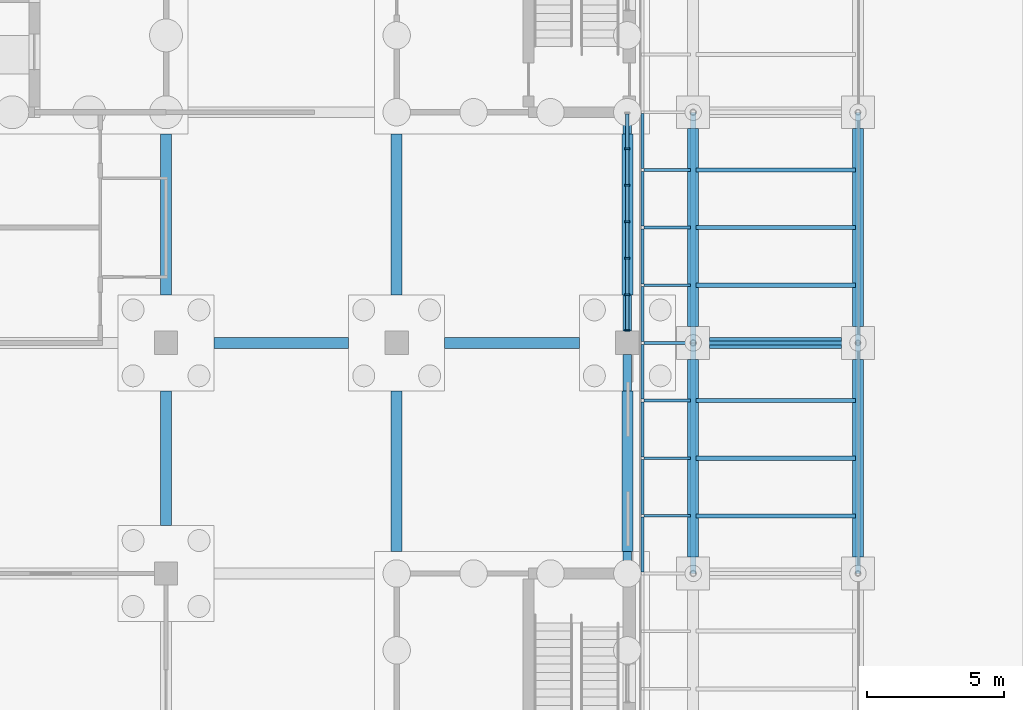
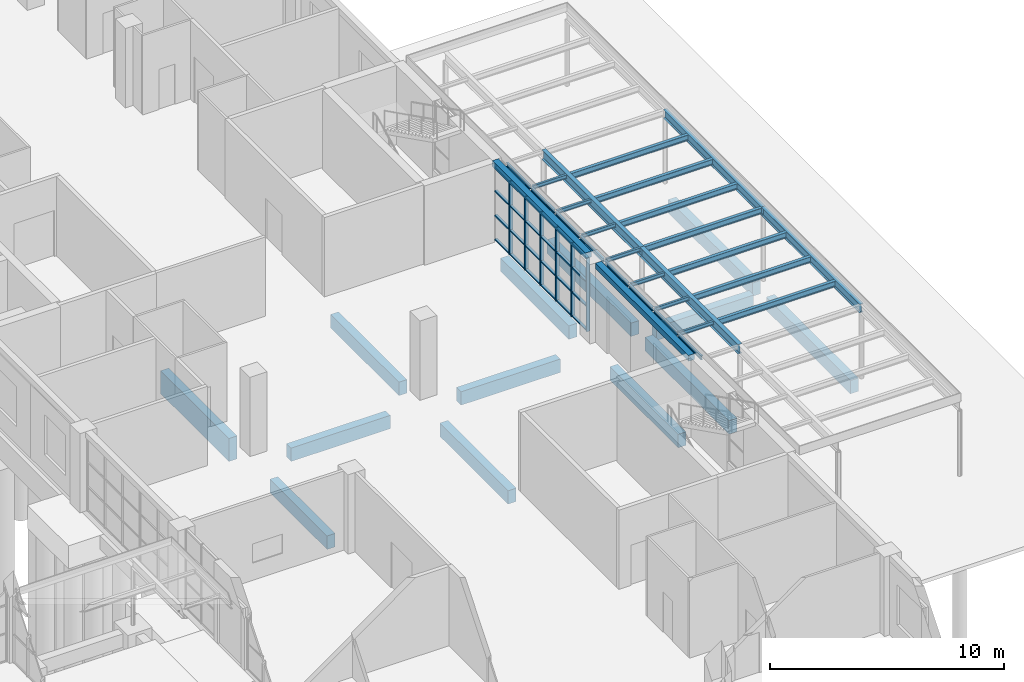
# One storey, part 70 of 138: 41 beams, 30 members, 1 element without a shape of its own.
"""IFC4 building model written with IfcOpenShell, lengths in metres."""

from ifc_helpers import new_model, si_unit, direction, frame, origin, origin_2d, place, context, subcontext, project, spatial, rectangle, i_section, extrude, material, material_profile, profile_set, type_object, element, aggregate, save


model = new_model("IFC4")

# Units and contexts
model_context = context("Model", 3, precision=1e-05, world=origin(), true_north=direction((0.0, 1.0)))
body_context = subcontext(model_context, "Body", "Model", "MODEL_VIEW")
ifc_project = project(units=[si_unit("LENGTHUNIT", "METRE"), si_unit("AREAUNIT", "SQUARE_METRE"), si_unit("VOLUMEUNIT", "CUBIC_METRE"), si_unit("PLANEANGLEUNIT", "RADIAN"), si_unit("MASSUNIT", "GRAM", prefix="KILO")], contexts=[model_context])

# Site, building, storey
site_placement = place(None, origin())
site = spatial("IfcSite", under=ifc_project, at=site_placement, CompositionType="ELEMENT")
building_placement = place(site_placement, origin())
building = spatial("IfcBuilding", under=site, at=building_placement, Name="Yavir Park General Hospital", CompositionType="ELEMENT")
storey_placement = place(building_placement, origin())
storey = spatial("IfcBuildingStorey", under=building, at=storey_placement, Name="L00", CompositionType="ELEMENT", Elevation=0.0)

# Curtain wall, members
ifc_material_1 = material(Name="Aluminium curtain wall frame with insulated glazing", Category="aluminium")
curtain_wall_type = type_object("IfcCurtainWallType", Name="Ambulance entrance glazing, 3840 high, 1400 module", PredefinedType="NOTDEFINED", material=ifc_material_1)
curtain_wall_placement = place(storey_placement, origin())
curtain_wall = element("IfcCurtainWall", 1, at=curtain_wall_placement, inside=storey, type_object=curtain_wall_type, Name="CW13 L00-075", PredefinedType="NOTDEFINED")
ifc_material_2 = material(Name="Aluminium", Category="aluminium")
ifc_material_profile_1 = material_profile(ifc_material_2, rectangle(XDim=0.179931640625, YDim=0.06005859375, at=origin_2d()), Name="AL 60x180")
ifc_profile_set_1 = profile_set([ifc_material_profile_1], Name="Aluminium")
member_type_1 = type_object("IfcMemberType", Name="Ambulance entrance glazing, 3840 high mullion 60 x 180", PredefinedType="MULLION", material=ifc_profile_set_1)
member_1_placement = place(storey_placement, frame((168.0, 67.655029296875, 0.0), z_axis=(0.0, 0.0, 1.0), x_axis=(-1.0, 0.0, 0.0)))
member_1 = element("IfcMember", 2, at=member_1_placement, type_object=member_type_1, Name="CW13 mullion 1", PredefinedType="MULLION", context=body_context, shape_type="SweptSolid", body=[
    extrude(rectangle(XDim=0.179931640625, YDim=0.06005859375, at=origin_2d()), origin(), (0.0, 0.0, 1.0), 3.840087890625),
])
member_2_placement = place(storey_placement, frame((168.0, 68.9541015625, 0.0), z_axis=(0.0, 0.0, 1.0), x_axis=(-1.0, 0.0, 0.0)))
member_2 = element("IfcMember", 3, at=member_2_placement, type_object=member_type_1, Name="CW13 mullion 2", PredefinedType="MULLION", context=body_context, shape_type="SweptSolid", body=[
    extrude(rectangle(XDim=0.179931640625, YDim=0.06005859375, at=origin_2d()), origin(), (0.0, 0.0, 1.0), 3.840087890625),
])
member_3_placement = place(storey_placement, frame((168.0, 70.283447265625, 0.0), z_axis=(0.0, 0.0, 1.0), x_axis=(-1.0, 0.0, 0.0)))
member_3 = element("IfcMember", 4, at=member_3_placement, type_object=member_type_1, Name="CW13 mullion 3", PredefinedType="MULLION", context=body_context, shape_type="SweptSolid", body=[
    extrude(rectangle(XDim=0.179931640625, YDim=0.06005859375, at=origin_2d()), origin(), (0.0, 0.0, 1.0), 3.840087890625),
])
member_4_placement = place(storey_placement, frame((168.0, 71.612548828125, 0.0), z_axis=(0.0, 0.0, 1.0), x_axis=(-1.0, 0.0, 0.0)))
member_4 = element("IfcMember", 5, at=member_4_placement, type_object=member_type_1, Name="CW13 mullion 4", PredefinedType="MULLION", context=body_context, shape_type="SweptSolid", body=[
    extrude(rectangle(XDim=0.179931640625, YDim=0.06005859375, at=origin_2d()), origin(), (0.0, 0.0, 1.0), 3.840087890625),
])
member_5_placement = place(storey_placement, frame((168.0, 72.941650390625, 0.0), z_axis=(0.0, 0.0, 1.0), x_axis=(-1.0, 0.0, 0.0)))
member_5 = element("IfcMember", 6, at=member_5_placement, type_object=member_type_1, Name="CW13 mullion 5", PredefinedType="MULLION", context=body_context, shape_type="SweptSolid", body=[
    extrude(rectangle(XDim=0.179931640625, YDim=0.06005859375, at=origin_2d()), origin(), (0.0, 0.0, 1.0), 3.840087890625),
])
member_6_placement = place(storey_placement, frame((168.0, 74.270751953125, 0.0), z_axis=(0.0, 0.0, 1.0), x_axis=(-1.0, 0.0, 0.0)))
member_6 = element("IfcMember", 7, at=member_6_placement, type_object=member_type_1, Name="CW13 mullion 6", PredefinedType="MULLION", context=body_context, shape_type="SweptSolid", body=[
    extrude(rectangle(XDim=0.179931640625, YDim=0.06005859375, at=origin_2d()), origin(), (0.0, 0.0, 1.0), 3.840087890625),
])
ifc_material_3 = material(Name="Aluminium", Category="aluminium")
ifc_material_profile_2 = material_profile(ifc_material_3, rectangle(XDim=0.139892578125, YDim=0.06005859375, at=origin_2d()), Name="AL 140x60")
ifc_profile_set_2 = profile_set([ifc_material_profile_2], Name="Aluminium")
member_type_2 = type_object("IfcMemberType", Name="Ambulance entrance glazing, 3840 high transom 60 x 140", PredefinedType="MULLION", material=ifc_profile_set_2)
member_7_placement = place(storey_placement, frame((168.0, 67.68505859375, 0.030029296875), z_axis=(0.0, 1.0, 0.0), x_axis=(-1.0, 0.0, 0.0)))
member_7 = element("IfcMember", 8, at=member_7_placement, type_object=member_type_2, Name="CW13 transom 1.1", PredefinedType="MULLION", context=body_context, shape_type="SweptSolid", body=[
    extrude(rectangle(XDim=0.139892578125, YDim=0.06005859375, at=origin_2d()), origin(), (0.0, 0.0, 1.0), 1.239013671875),
])
member_8_placement = place(storey_placement, frame((168.0, 67.68505859375, 1.280029296875), z_axis=(0.0, 1.0, 0.0), x_axis=(-1.0, 0.0, 0.0)))
member_8 = element("IfcMember", 9, at=member_8_placement, type_object=member_type_2, Name="CW13 transom 1.2", PredefinedType="MULLION", context=body_context, shape_type="SweptSolid", body=[
    extrude(rectangle(XDim=0.139892578125, YDim=0.06005859375, at=origin_2d()), origin(), (0.0, 0.0, 1.0), 1.239013671875),
])
member_9_placement = place(storey_placement, frame((168.0, 67.68505859375, 2.56005859375), z_axis=(0.0, 1.0, 0.0), x_axis=(-1.0, 0.0, 0.0)))
member_9 = element("IfcMember", 10, at=member_9_placement, type_object=member_type_2, Name="CW13 transom 1.3", PredefinedType="MULLION", context=body_context, shape_type="SweptSolid", body=[
    extrude(rectangle(XDim=0.139892578125, YDim=0.06005859375, at=origin_2d()), origin(), (0.0, 0.0, 1.0), 1.239013671875),
])
member_10_placement = place(storey_placement, frame((168.0, 67.68505859375, 3.81005859375), z_axis=(0.0, 1.0, 0.0), x_axis=(-1.0, 0.0, 0.0)))
member_10 = element("IfcMember", 11, at=member_10_placement, type_object=member_type_2, Name="CW13 transom 1.4", PredefinedType="MULLION", context=body_context, shape_type="SweptSolid", body=[
    extrude(rectangle(XDim=0.139892578125, YDim=0.06005859375, at=origin_2d()), origin(), (0.0, 0.0, 1.0), 1.239013671875),
])
member_11_placement = place(storey_placement, frame((168.0, 68.984130859375, 0.030029296875), z_axis=(0.0, 1.0, 0.0), x_axis=(-1.0, 0.0, 0.0)))
member_11 = element("IfcMember", 12, at=member_11_placement, type_object=member_type_2, Name="CW13 transom 2.1", PredefinedType="MULLION", context=body_context, shape_type="SweptSolid", body=[
    extrude(rectangle(XDim=0.139892578125, YDim=0.06005859375, at=origin_2d()), origin(), (0.0, 0.0, 1.0), 1.269287109375),
])
member_12_placement = place(storey_placement, frame((168.0, 68.984130859375, 1.280029296875), z_axis=(0.0, 1.0, 0.0), x_axis=(-1.0, 0.0, 0.0)))
member_12 = element("IfcMember", 13, at=member_12_placement, type_object=member_type_2, Name="CW13 transom 2.2", PredefinedType="MULLION", context=body_context, shape_type="SweptSolid", body=[
    extrude(rectangle(XDim=0.139892578125, YDim=0.06005859375, at=origin_2d()), origin(), (0.0, 0.0, 1.0), 1.269287109375),
])
member_13_placement = place(storey_placement, frame((168.0, 68.984130859375, 2.56005859375), z_axis=(0.0, 1.0, 0.0), x_axis=(-1.0, 0.0, 0.0)))
member_13 = element("IfcMember", 14, at=member_13_placement, type_object=member_type_2, Name="CW13 transom 2.3", PredefinedType="MULLION", context=body_context, shape_type="SweptSolid", body=[
    extrude(rectangle(XDim=0.139892578125, YDim=0.06005859375, at=origin_2d()), origin(), (0.0, 0.0, 1.0), 1.269287109375),
])
member_14_placement = place(storey_placement, frame((168.0, 68.984130859375, 3.81005859375), z_axis=(0.0, 1.0, 0.0), x_axis=(-1.0, 0.0, 0.0)))
member_14 = element("IfcMember", 15, at=member_14_placement, type_object=member_type_2, Name="CW13 transom 2.4", PredefinedType="MULLION", context=body_context, shape_type="SweptSolid", body=[
    extrude(rectangle(XDim=0.139892578125, YDim=0.06005859375, at=origin_2d()), origin(), (0.0, 0.0, 1.0), 1.269287109375),
])
member_15_placement = place(storey_placement, frame((168.0, 70.313232421875, 0.030029296875), z_axis=(0.0, 1.0, 0.0), x_axis=(-1.0, 0.0, 0.0)))
member_15 = element("IfcMember", 16, at=member_15_placement, type_object=member_type_2, Name="CW13 transom 3.1", PredefinedType="MULLION", context=body_context, shape_type="SweptSolid", body=[
    extrude(rectangle(XDim=0.139892578125, YDim=0.06005859375, at=origin_2d()), origin(), (0.0, 0.0, 1.0), 1.269287109375),
])
member_16_placement = place(storey_placement, frame((168.0, 70.313232421875, 1.280029296875), z_axis=(0.0, 1.0, 0.0), x_axis=(-1.0, 0.0, 0.0)))
member_16 = element("IfcMember", 17, at=member_16_placement, type_object=member_type_2, Name="CW13 transom 3.2", PredefinedType="MULLION", context=body_context, shape_type="SweptSolid", body=[
    extrude(rectangle(XDim=0.139892578125, YDim=0.06005859375, at=origin_2d()), origin(), (0.0, 0.0, 1.0), 1.269287109375),
])
member_17_placement = place(storey_placement, frame((168.0, 70.313232421875, 2.56005859375), z_axis=(0.0, 1.0, 0.0), x_axis=(-1.0, 0.0, 0.0)))
member_17 = element("IfcMember", 18, at=member_17_placement, type_object=member_type_2, Name="CW13 transom 3.3", PredefinedType="MULLION", context=body_context, shape_type="SweptSolid", body=[
    extrude(rectangle(XDim=0.139892578125, YDim=0.06005859375, at=origin_2d()), origin(), (0.0, 0.0, 1.0), 1.269287109375),
])
member_18_placement = place(storey_placement, frame((168.0, 70.313232421875, 3.81005859375), z_axis=(0.0, 1.0, 0.0), x_axis=(-1.0, 0.0, 0.0)))
member_18 = element("IfcMember", 19, at=member_18_placement, type_object=member_type_2, Name="CW13 transom 3.4", PredefinedType="MULLION", context=body_context, shape_type="SweptSolid", body=[
    extrude(rectangle(XDim=0.139892578125, YDim=0.06005859375, at=origin_2d()), origin(), (0.0, 0.0, 1.0), 1.269287109375),
])
member_19_placement = place(storey_placement, frame((168.0, 71.642578125, 0.030029296875), z_axis=(0.0, 1.0, 0.0), x_axis=(-1.0, 0.0, 0.0)))
member_19 = element("IfcMember", 20, at=member_19_placement, type_object=member_type_2, Name="CW13 transom 4.1", PredefinedType="MULLION", context=body_context, shape_type="SweptSolid", body=[
    extrude(rectangle(XDim=0.139892578125, YDim=0.06005859375, at=origin_2d()), origin(), (0.0, 0.0, 1.0), 1.26904296875),
])
member_20_placement = place(storey_placement, frame((168.0, 71.642578125, 1.280029296875), z_axis=(0.0, 1.0, 0.0), x_axis=(-1.0, 0.0, 0.0)))
member_20 = element("IfcMember", 21, at=member_20_placement, type_object=member_type_2, Name="CW13 transom 4.2", PredefinedType="MULLION", context=body_context, shape_type="SweptSolid", body=[
    extrude(rectangle(XDim=0.139892578125, YDim=0.06005859375, at=origin_2d()), origin(), (0.0, 0.0, 1.0), 1.26904296875),
])
member_21_placement = place(storey_placement, frame((168.0, 71.642578125, 2.56005859375), z_axis=(0.0, 1.0, 0.0), x_axis=(-1.0, 0.0, 0.0)))
member_21 = element("IfcMember", 22, at=member_21_placement, type_object=member_type_2, Name="CW13 transom 4.3", PredefinedType="MULLION", context=body_context, shape_type="SweptSolid", body=[
    extrude(rectangle(XDim=0.139892578125, YDim=0.06005859375, at=origin_2d()), origin(), (0.0, 0.0, 1.0), 1.26904296875),
])
member_22_placement = place(storey_placement, frame((168.0, 71.642578125, 3.81005859375), z_axis=(0.0, 1.0, 0.0), x_axis=(-1.0, 0.0, 0.0)))
member_22 = element("IfcMember", 23, at=member_22_placement, type_object=member_type_2, Name="CW13 transom 4.4", PredefinedType="MULLION", context=body_context, shape_type="SweptSolid", body=[
    extrude(rectangle(XDim=0.139892578125, YDim=0.06005859375, at=origin_2d()), origin(), (0.0, 0.0, 1.0), 1.26904296875),
])
member_23_placement = place(storey_placement, frame((168.0, 72.9716796875, 0.030029296875), z_axis=(0.0, 1.0, 0.0), x_axis=(-1.0, 0.0, 0.0)))
member_23 = element("IfcMember", 24, at=member_23_placement, type_object=member_type_2, Name="CW13 transom 5.1", PredefinedType="MULLION", context=body_context, shape_type="SweptSolid", body=[
    extrude(rectangle(XDim=0.139892578125, YDim=0.06005859375, at=origin_2d()), origin(), (0.0, 0.0, 1.0), 1.26904296875),
])
member_24_placement = place(storey_placement, frame((168.0, 72.9716796875, 1.280029296875), z_axis=(0.0, 1.0, 0.0), x_axis=(-1.0, 0.0, 0.0)))
member_24 = element("IfcMember", 25, at=member_24_placement, type_object=member_type_2, Name="CW13 transom 5.2", PredefinedType="MULLION", context=body_context, shape_type="SweptSolid", body=[
    extrude(rectangle(XDim=0.139892578125, YDim=0.06005859375, at=origin_2d()), origin(), (0.0, 0.0, 1.0), 1.26904296875),
])
member_25_placement = place(storey_placement, frame((168.0, 72.9716796875, 2.56005859375), z_axis=(0.0, 1.0, 0.0), x_axis=(-1.0, 0.0, 0.0)))
member_25 = element("IfcMember", 26, at=member_25_placement, type_object=member_type_2, Name="CW13 transom 5.3", PredefinedType="MULLION", context=body_context, shape_type="SweptSolid", body=[
    extrude(rectangle(XDim=0.139892578125, YDim=0.06005859375, at=origin_2d()), origin(), (0.0, 0.0, 1.0), 1.26904296875),
])
member_26_placement = place(storey_placement, frame((168.0, 72.9716796875, 3.81005859375), z_axis=(0.0, 1.0, 0.0), x_axis=(-1.0, 0.0, 0.0)))
member_26 = element("IfcMember", 27, at=member_26_placement, type_object=member_type_2, Name="CW13 transom 5.4", PredefinedType="MULLION", context=body_context, shape_type="SweptSolid", body=[
    extrude(rectangle(XDim=0.139892578125, YDim=0.06005859375, at=origin_2d()), origin(), (0.0, 0.0, 1.0), 1.26904296875),
])
member_27_placement = place(storey_placement, frame((168.0, 74.30078125, 0.030029296875), z_axis=(0.0, 1.0, 0.0), x_axis=(-1.0, 0.0, 0.0)))
member_27 = element("IfcMember", 28, at=member_27_placement, type_object=member_type_2, Name="CW13 transom 6.1", PredefinedType="MULLION", context=body_context, shape_type="SweptSolid", body=[
    extrude(rectangle(XDim=0.139892578125, YDim=0.06005859375, at=origin_2d()), origin(), (0.0, 0.0, 1.0), 1.2392578125),
])
member_28_placement = place(storey_placement, frame((168.0, 74.30078125, 1.280029296875), z_axis=(0.0, 1.0, 0.0), x_axis=(-1.0, 0.0, 0.0)))
member_28 = element("IfcMember", 29, at=member_28_placement, type_object=member_type_2, Name="CW13 transom 6.2", PredefinedType="MULLION", context=body_context, shape_type="SweptSolid", body=[
    extrude(rectangle(XDim=0.139892578125, YDim=0.06005859375, at=origin_2d()), origin(), (0.0, 0.0, 1.0), 1.2392578125),
])
member_29_placement = place(storey_placement, frame((168.0, 74.30078125, 2.56005859375), z_axis=(0.0, 1.0, 0.0), x_axis=(-1.0, 0.0, 0.0)))
member_29 = element("IfcMember", 30, at=member_29_placement, type_object=member_type_2, Name="CW13 transom 6.3", PredefinedType="MULLION", context=body_context, shape_type="SweptSolid", body=[
    extrude(rectangle(XDim=0.139892578125, YDim=0.06005859375, at=origin_2d()), origin(), (0.0, 0.0, 1.0), 1.2392578125),
])
member_30_placement = place(storey_placement, frame((168.0, 74.30078125, 3.81005859375), z_axis=(0.0, 1.0, 0.0), x_axis=(-1.0, 0.0, 0.0)))
member_30 = element("IfcMember", 31, at=member_30_placement, type_object=member_type_2, Name="CW13 transom 6.4", PredefinedType="MULLION", context=body_context, shape_type="SweptSolid", body=[
    extrude(rectangle(XDim=0.139892578125, YDim=0.06005859375, at=origin_2d()), origin(), (0.0, 0.0, 1.0), 1.2392578125),
])
aggregate(curtain_wall, [member_1, member_2, member_3, member_4, member_5, member_6, member_7, member_8, member_9, member_10, member_11, member_12, member_13, member_14, member_15, member_16, member_17, member_18, member_19, member_20, member_21, member_22, member_23, member_24, member_25, member_26, member_27, member_28, member_29, member_30])

# Beams
ifc_material_4 = material(Name="Steel S355", Category="steel")
ifc_material_profile_3 = material_profile(ifc_material_4, i_section(OverallWidth=0.10009765625, OverallDepth=0.199951171875, WebThickness=0.005615234375, FlangeThickness=0.008544921875, FilletRadius=0.011962890625, at=origin_2d()), Name="IPE200")
ifc_profile_set_3 = profile_set([ifc_material_profile_3], Name="Steel S355")
beam_type_1 = type_object("IfcBeamType", Name="IPE 200 cantilever secondary beam, up to 2 m", PredefinedType="JOIST", material=ifc_profile_set_3)
for number, where, z_axis, x_axis, name in (
    (32, (168.60009765625, 60.89990234375, 3.75), (1.0, 0.0, 0.0), (0.0, 1.0, 0.0), "B:AMB:J5-0"),
    (33, (168.60009765625, 63.0, 3.75), (1.0, 0.0, 0.0), (0.0, 1.0, 0.0), "B:AMB:J6-0"),
    (34, (168.60009765625, 65.10009765625, 3.75), (1.0, 0.0, 0.0), (0.0, 1.0, 0.0), "B:AMB:J7-0"),
    (35, (168.60009765625, 67.199951171875, 3.75), (1.0, 0.0, 0.0), (0.0, 1.0, 0.0), "B:AMB:J8-0"),
    (36, (168.60009765625, 69.300048828125, 3.75), (1.0, 0.0, 0.0), (0.0, 1.0, 0.0), "B:AMB:J9-0"),
    (37, (168.60009765625, 71.39990234375, 3.75), (1.0, 0.0, 0.0), (0.0, 1.0, 0.0), "B:AMB:J10-0"),
    (38, (168.60009765625, 73.5, 3.75), (1.0, 0.0, 0.0), (0.0, 1.0, 0.0), "B:AMB:J11-0"),
):
    element("IfcBeam", number, at=place(storey_placement, frame(where, z_axis=z_axis, x_axis=x_axis)), inside=storey, type_object=beam_type_1, Name=name, PredefinedType="JOIST", context=body_context, shape_type="SweptSolid", body=[
        extrude(i_section(OverallWidth=0.10009765625, OverallDepth=0.199951171875, WebThickness=0.005615234375, FlangeThickness=0.008544921875, FilletRadius=0.011962890625, at=origin_2d()), origin(), (0.0, 0.0, 1.0), 1.699951171875),
    ])
ifc_material_5 = material(Name="Steel S355", Category="steel")
ifc_material_profile_4 = material_profile(ifc_material_5, i_section(OverallWidth=0.10009765625, OverallDepth=0.199951171875, WebThickness=0.005615234375, FlangeThickness=0.008544921875, FilletRadius=0.011962890625, at=origin_2d()), Name="IPE200")
ifc_profile_set_4 = profile_set([ifc_material_profile_4], Name="Steel S355")
beam_type_2 = type_object("IfcBeamType", Name="IPE 200 edge trimmer, up to 2 m span", PredefinedType="BEAM", material=ifc_profile_set_4)
for number, where, z_axis, x_axis, name in (
    (39, (168.550048828125, 58.85009765625, 3.75), (0.0, 1.0, 0.0), (-1.0, 0.0, 0.0), "B:AMB:T4"),
    (40, (168.550048828125, 60.949951171875, 3.75), (0.0, 1.0, 0.0), (-1.0, 0.0, 0.0), "B:AMB:T5"),
    (41, (168.550048828125, 63.050048828125, 3.75), (0.0, 1.0, 0.0), (-1.0, 0.0, 0.0), "B:AMB:T6"),
    (42, (168.550048828125, 65.14990234375, 3.75), (0.0, 1.0, 0.0), (-1.0, 0.0, 0.0), "B:AMB:T7"),
    (43, (168.550048828125, 67.25, 3.75), (0.0, 1.0, 0.0), (-1.0, 0.0, 0.0), "B:AMB:T8"),
    (44, (168.550048828125, 69.35009765625, 3.75), (0.0, 1.0, 0.0), (-1.0, 0.0, 0.0), "B:AMB:T9"),
    (45, (168.550048828125, 71.449951171875, 3.75), (0.0, 1.0, 0.0), (-1.0, 0.0, 0.0), "B:AMB:T10"),
    (46, (168.550048828125, 73.550048828125, 3.75), (0.0, 1.0, 0.0), (-1.0, 0.0, 0.0), "B:AMB:T11"),
):
    element("IfcBeam", number, at=place(storey_placement, frame(where, z_axis=z_axis, x_axis=x_axis)), inside=storey, type_object=beam_type_2, Name=name, PredefinedType="BEAM", context=body_context, shape_type="SweptSolid", body=[
        extrude(i_section(OverallWidth=0.10009765625, OverallDepth=0.199951171875, WebThickness=0.005615234375, FlangeThickness=0.008544921875, FilletRadius=0.011962890625, at=origin_2d()), origin(), (0.0, 0.0, 1.0), 2.0),
    ])
ifc_material_6 = material(Name="Steel S355", Category="steel")
ifc_material_profile_5 = material_profile(ifc_material_6, i_section(OverallWidth=0.14990234375, OverallDepth=0.300048828125, WebThickness=0.007080078125, FlangeThickness=0.0107421875, FilletRadius=0.014892578125, at=origin_2d()), Name="IPE300")
ifc_profile_set_5 = profile_set([ifc_material_profile_5], Name="Steel S355")
beam_type_3 = type_object("IfcBeamType", Name="IPE 300 secondary beam, up to 6 m span", PredefinedType="JOIST", material=ifc_profile_set_5)
for number, where, z_axis, x_axis, name in (
    (47, (170.5, 60.89990234375, 3.699951171875), (1.0, 0.0, 0.0), (0.0, 1.0, 0.0), "B:AMB:J5-1"),
    (48, (170.5, 63.0, 3.699951171875), (1.0, 0.0, 0.0), (0.0, 1.0, 0.0), "B:AMB:J6-1"),
    (49, (170.5, 65.10009765625, 3.699951171875), (1.0, 0.0, 0.0), (0.0, 1.0, 0.0), "B:AMB:J7-1"),
    (50, (170.5, 67.199951171875, 3.699951171875), (1.0, 0.0, 0.0), (0.0, 1.0, 0.0), "B:AMB:J8-1"),
    (51, (170.5, 69.300048828125, 3.699951171875), (1.0, 0.0, 0.0), (0.0, 1.0, 0.0), "B:AMB:J9-1"),
    (52, (170.5, 71.39990234375, 3.699951171875), (1.0, 0.0, 0.0), (0.0, 1.0, 0.0), "B:AMB:J10-1"),
    (53, (170.5, 73.5, 3.699951171875), (1.0, 0.0, 0.0), (0.0, 1.0, 0.0), "B:AMB:J11-1"),
):
    element("IfcBeam", number, at=place(storey_placement, frame(where, z_axis=z_axis, x_axis=x_axis)), inside=storey, type_object=beam_type_3, Name=name, PredefinedType="JOIST", context=body_context, shape_type="SweptSolid", body=[
        extrude(i_section(OverallWidth=0.14990234375, OverallDepth=0.300048828125, WebThickness=0.007080078125, FlangeThickness=0.0107421875, FilletRadius=0.014892578125, at=origin_2d()), origin(), (0.0, 0.0, 1.0), 5.804931640625),
    ])
ifc_material_7 = material(Name="Steel S355", Category="steel")
ifc_material_profile_6 = material_profile(ifc_material_7, i_section(OverallWidth=0.18994140625, OverallDepth=0.449951171875, WebThickness=0.009521484375, FlangeThickness=0.0146484375, FilletRadius=0.02099609375, at=origin_2d()), Name="IPE450")
ifc_profile_set_6 = profile_set([ifc_material_profile_6], Name="Steel S355")
beam_type_4 = type_object("IfcBeamType", Name="IPE 450 main beam, outer row, up to 8.5 m span", PredefinedType="BEAM", material=ifc_profile_set_6)
beam_1_placement = place(storey_placement, frame((176.39990234375, 58.800048828125, 3.625), z_axis=(0.0, 1.0, 0.0), x_axis=(-1.0, 0.0, 0.0)))
element("IfcBeam", 54, at=beam_1_placement, inside=storey, type_object=beam_type_4, Name="B:AMB:M11", PredefinedType="BEAM", context=body_context, shape_type="SweptSolid", body=[
    extrude(i_section(OverallWidth=0.18994140625, OverallDepth=0.449951171875, WebThickness=0.009521484375, FlangeThickness=0.0146484375, FilletRadius=0.02099609375, at=origin_2d()), origin(), (0.0, 0.0, 1.0), 8.39990234375),
])
beam_2_placement = place(storey_placement, frame((176.39990234375, 67.199951171875, 3.625), z_axis=(0.0, 1.0, 0.0), x_axis=(-1.0, 0.0, 0.0)))
element("IfcBeam", 55, at=beam_2_placement, inside=storey, type_object=beam_type_4, Name="B:AMB:M12", PredefinedType="BEAM", context=body_context, shape_type="SweptSolid", body=[
    extrude(i_section(OverallWidth=0.18994140625, OverallDepth=0.449951171875, WebThickness=0.009521484375, FlangeThickness=0.0146484375, FilletRadius=0.02099609375, at=origin_2d()), origin(), (0.0, 0.0, 1.0), 8.400146484375),
])
ifc_material_8 = material(Name="Steel S355", Category="steel")
ifc_material_profile_7 = material_profile(ifc_material_8, i_section(OverallWidth=0.199951171875, OverallDepth=0.5, WebThickness=0.01025390625, FlangeThickness=0.01611328125, FilletRadius=0.02099609375, at=origin_2d()), Name="IPE500")
ifc_profile_set_7 = profile_set([ifc_material_profile_7], Name="Steel S355")
beam_type_5 = type_object("IfcBeamType", Name="IPE 500 main beam, inner row, up to 8.5 m span", PredefinedType="BEAM", material=ifc_profile_set_7)
beam_3_placement = place(storey_placement, frame((170.39990234375, 58.800048828125, 3.60009765625), z_axis=(0.0, 1.0, 0.0), x_axis=(-1.0, 0.0, 0.0)))
element("IfcBeam", 56, at=beam_3_placement, inside=storey, type_object=beam_type_5, Name="B:AMB:M01", PredefinedType="BEAM", context=body_context, shape_type="SweptSolid", body=[
    extrude(i_section(OverallWidth=0.199951171875, OverallDepth=0.5, WebThickness=0.01025390625, FlangeThickness=0.01611328125, FilletRadius=0.02099609375, at=origin_2d()), origin(), (0.0, 0.0, 1.0), 8.39990234375),
])
beam_4_placement = place(storey_placement, frame((170.39990234375, 67.199951171875, 3.60009765625), z_axis=(0.0, 1.0, 0.0), x_axis=(-1.0, 0.0, 0.0)))
element("IfcBeam", 57, at=beam_4_placement, inside=storey, type_object=beam_type_5, Name="B:AMB:M02", PredefinedType="BEAM", context=body_context, shape_type="SweptSolid", body=[
    extrude(i_section(OverallWidth=0.199951171875, OverallDepth=0.5, WebThickness=0.01025390625, FlangeThickness=0.01611328125, FilletRadius=0.02099609375, at=origin_2d()), origin(), (0.0, 0.0, 1.0), 8.400146484375),
])
ifc_material_9 = material(Name="Concrete C35/45", Category="concrete")
ifc_material_profile_8 = material_profile(ifc_material_9, rectangle(XDim=0.300048828125, YDim=0.300048828125, at=origin_2d()), Name="RC300x300")
ifc_profile_set_8 = profile_set([ifc_material_profile_8], Name="Concrete C35/45")
beam_type_6 = type_object("IfcBeamType", Name="RC BEAM 300x300 edge beam", PredefinedType="BEAM", material=ifc_profile_set_8)
beam_5_placement = place(storey_placement, frame((168.0, 58.800048828125, 3.989990234375), z_axis=(0.0, 1.0, 0.0), x_axis=(-1.0, 0.0, 0.0)))
element("IfcBeam", 58, at=beam_5_placement, inside=storey, type_object=beam_type_6, Name="B:EDGE:L00:057", PredefinedType="BEAM", context=body_context, shape_type="SweptSolid", body=[
    extrude(rectangle(XDim=0.300048828125, YDim=0.300048828125, at=origin_2d()), origin(), (0.0, 0.0, 1.0), 7.974853515625),
])
beam_6_placement = place(storey_placement, frame((168.0, 67.625, 3.989990234375), z_axis=(0.0, 1.0, 0.0), x_axis=(-1.0, 0.0, 0.0)))
element("IfcBeam", 59, at=beam_6_placement, inside=storey, type_object=beam_type_6, Name="B:EDGE:L00:058", PredefinedType="BEAM", context=body_context, shape_type="SweptSolid", body=[
    extrude(rectangle(XDim=0.300048828125, YDim=0.300048828125, at=origin_2d()), origin(), (0.0, 0.0, 1.0), 7.97509765625),
])
ifc_material_10 = material(Name="Concrete C35/45", Category="concrete")
ifc_material_profile_9 = material_profile(ifc_material_10, rectangle(XDim=0.39990234375, YDim=1.199951171875, at=origin_2d()), Name="RC400x1200")
ifc_profile_set_9 = profile_set([ifc_material_profile_9], Name="Concrete C35/45")
beam_type_7 = type_object("IfcBeamType", Name="RC BEAM 400x1200 ground beam", PredefinedType="BEAM", material=ifc_profile_set_9)
beam_7_placement = place(storey_placement, frame((151.199951171875, 68.949951171875, -1.050048828125), z_axis=(0.0, 1.0, 0.0), x_axis=(-1.0, 0.0, 0.0)))
element("IfcBeam", 60, at=beam_7_placement, inside=storey, type_object=beam_type_7, Name="B:GND:L00:19J:L00:HL", PredefinedType="BEAM", context=body_context, shape_type="SweptSolid", body=[
    extrude(rectangle(XDim=0.39990234375, YDim=1.199951171875, at=origin_2d()), origin(), (0.0, 0.0, 1.0), 5.85009765625),
])
ifc_material_11 = material(Name="Concrete C35/45", Category="concrete")
ifc_material_profile_10 = material_profile(ifc_material_11, rectangle(XDim=0.39990234375, YDim=0.699951171875, at=origin_2d()), Name="RC400x700")
ifc_profile_set_10 = profile_set([ifc_material_profile_10], Name="Concrete C35/45")
beam_type_8 = type_object("IfcBeamType", Name="RC BEAM 400x700 ground beam", PredefinedType="BEAM", material=ifc_profile_set_10)
beam_8_placement = place(storey_placement, frame((171.0, 67.199951171875, -0.800048828125), z_axis=(1.0, 0.0, 0.0), x_axis=(0.0, 1.0, 0.0)))
element("IfcBeam", 61, at=beam_8_placement, inside=storey, type_object=beam_type_8, Name="B:GND:AMB:C02:AMB:C12", PredefinedType="BEAM", context=body_context, shape_type="SweptSolid", body=[
    extrude(rectangle(XDim=0.39990234375, YDim=0.699951171875, at=origin_2d()), origin(), (0.0, 0.0, 1.0), 4.800048828125),
])
beam_9_placement = place(storey_placement, frame((152.949951171875, 67.199951171875, -0.800048828125), z_axis=(1.0, 0.0, 0.0), x_axis=(0.0, 1.0, 0.0)))
element("IfcBeam", 62, at=beam_9_placement, inside=storey, type_object=beam_type_8, Name="B:GND:L00:19J:L00:20J", PredefinedType="BEAM", context=body_context, shape_type="SweptSolid", body=[
    extrude(rectangle(XDim=0.39990234375, YDim=0.699951171875, at=origin_2d()), origin(), (0.0, 0.0, 1.0), 4.900146484375),
])
beam_10_placement = place(storey_placement, frame((161.35009765625, 67.199951171875, -0.800048828125), z_axis=(1.0, 0.0, 0.0), x_axis=(0.0, 1.0, 0.0)))
element("IfcBeam", 63, at=beam_10_placement, inside=storey, type_object=beam_type_8, Name="B:GND:L00:20J:L00:21J", PredefinedType="BEAM", context=body_context, shape_type="SweptSolid", body=[
    extrude(rectangle(XDim=0.39990234375, YDim=0.699951171875, at=origin_2d()), origin(), (0.0, 0.0, 1.0), 4.89990234375),
])
beam_11_placement = place(storey_placement, frame((170.39990234375, 59.39990234375, -0.800048828125), z_axis=(0.0, 1.0, 0.0), x_axis=(-1.0, 0.0, 0.0)))
element("IfcBeam", 64, at=beam_11_placement, inside=storey, type_object=beam_type_8, Name="B:GND:AMB:C01:AMB:C02", PredefinedType="BEAM", context=body_context, shape_type="SweptSolid", body=[
    extrude(rectangle(XDim=0.39990234375, YDim=0.699951171875, at=origin_2d()), origin(), (0.0, 0.0, 1.0), 7.2001953125),
])
beam_12_placement = place(storey_placement, frame((170.39990234375, 67.800048828125, -0.800048828125), z_axis=(0.0, 1.0, 0.0), x_axis=(-1.0, 0.0, 0.0)))
element("IfcBeam", 65, at=beam_12_placement, inside=storey, type_object=beam_type_8, Name="B:GND:AMB:C02:AMB:C03", PredefinedType="BEAM", context=body_context, shape_type="SweptSolid", body=[
    extrude(rectangle(XDim=0.39990234375, YDim=0.699951171875, at=origin_2d()), origin(), (0.0, 0.0, 1.0), 7.199951171875),
])
beam_13_placement = place(storey_placement, frame((176.39990234375, 59.39990234375, -0.800048828125), z_axis=(0.0, 1.0, 0.0), x_axis=(-1.0, 0.0, 0.0)))
element("IfcBeam", 66, at=beam_13_placement, inside=storey, type_object=beam_type_8, Name="B:GND:AMB:C11:AMB:C12", PredefinedType="BEAM", context=body_context, shape_type="SweptSolid", body=[
    extrude(rectangle(XDim=0.39990234375, YDim=0.699951171875, at=origin_2d()), origin(), (0.0, 0.0, 1.0), 7.2001953125),
])
beam_14_placement = place(storey_placement, frame((176.39990234375, 67.800048828125, -0.800048828125), z_axis=(0.0, 1.0, 0.0), x_axis=(-1.0, 0.0, 0.0)))
element("IfcBeam", 67, at=beam_14_placement, inside=storey, type_object=beam_type_8, Name="B:GND:AMB:C12:AMB:C13", PredefinedType="BEAM", context=body_context, shape_type="SweptSolid", body=[
    extrude(rectangle(XDim=0.39990234375, YDim=0.699951171875, at=origin_2d()), origin(), (0.0, 0.0, 1.0), 7.199951171875),
])
beam_15_placement = place(storey_placement, frame((151.199951171875, 60.550048828125, -0.800048828125), z_axis=(0.0, 1.0, 0.0), x_axis=(-1.0, 0.0, 0.0)))
element("IfcBeam", 68, at=beam_15_placement, inside=storey, type_object=beam_type_8, Name="B:GND:L00:19H:L00:19J", PredefinedType="BEAM", context=body_context, shape_type="SweptSolid", body=[
    extrude(rectangle(XDim=0.39990234375, YDim=0.699951171875, at=origin_2d()), origin(), (0.0, 0.0, 1.0), 4.89990234375),
])
for number, where, z_axis, x_axis, name in (
    (69, (159.60009765625, 68.949951171875, -0.800048828125), (0.0, 1.0, 0.0), (-1.0, 0.0, 0.0), "B:GND:L00:20J:L00:ES2"),
    (70, (168.0, 68.949951171875, -0.800048828125), (0.0, 1.0, 0.0), (-1.0, 0.0, 0.0), "B:GND:L00:21J:L00:ES2"),
):
    element("IfcBeam", number, at=place(storey_placement, frame(where, z_axis=z_axis, x_axis=x_axis)), inside=storey, type_object=beam_type_8, Name=name, PredefinedType="BEAM", context=body_context, shape_type="SweptSolid", body=[
        extrude(rectangle(XDim=0.39990234375, YDim=0.699951171875, at=origin_2d()), origin(), (0.0, 0.0, 1.0), 5.85009765625),
    ])
for number, where, z_axis, x_axis, name in (
    (71, (159.60009765625, 59.60009765625, -0.800048828125), (0.0, 1.0, 0.0), (-1.0, 0.0, 0.0), "B:GND:L00:ES1:L00:20J"),
    (72, (168.0, 59.60009765625, -0.800048828125), (0.0, 1.0, 0.0), (-1.0, 0.0, 0.0), "B:GND:L00:ES1:L00:21J"),
):
    element("IfcBeam", number, at=place(storey_placement, frame(where, z_axis=z_axis, x_axis=x_axis)), inside=storey, type_object=beam_type_8, Name=name, PredefinedType="BEAM", context=body_context, shape_type="SweptSolid", body=[
        extrude(rectangle(XDim=0.39990234375, YDim=0.699951171875, at=origin_2d()), origin(), (0.0, 0.0, 1.0), 5.849853515625),
    ])

save(model, "model.ifc")
